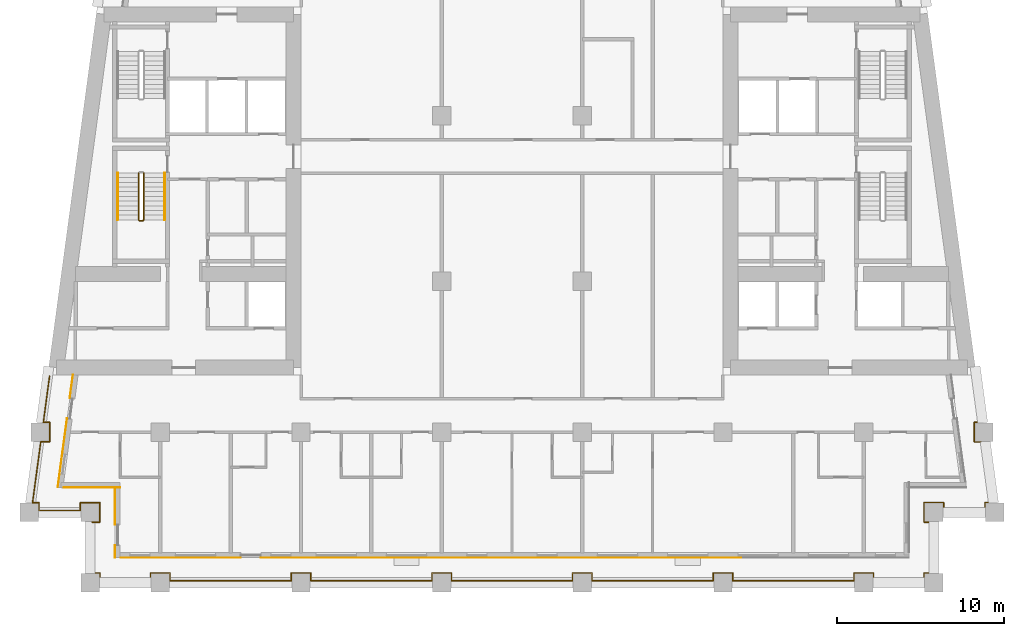
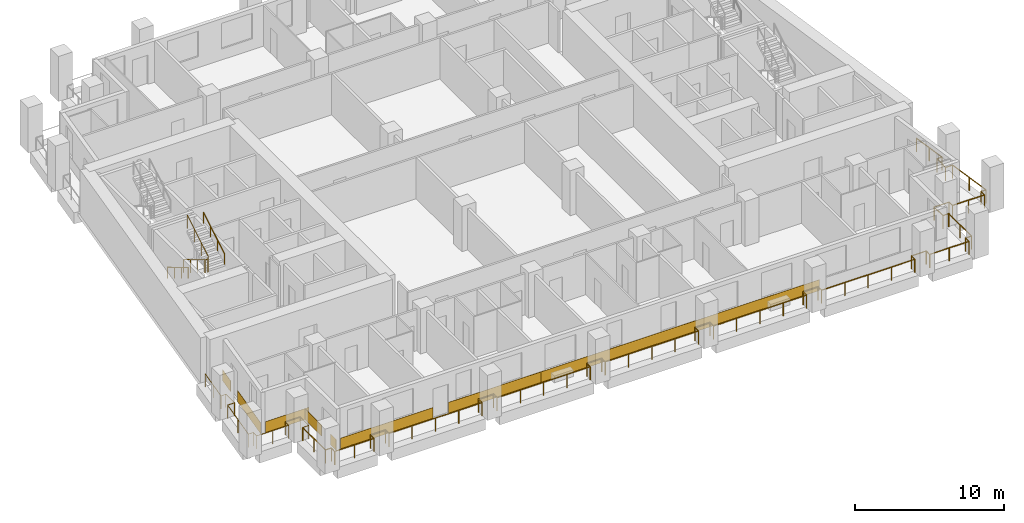
# One storey, part 9 of 13: 8 coverings, 5 railings.
"""IFC4 building model written with IfcOpenShell, lengths in metres."""

from ifc_helpers import new_model, si_unit, direction, frame, origin, origin_2d, place, context, subcontext, project, spatial, rectangle, circle, extrude, material, layer, layer_set, type_object, element, save


model = new_model("IFC4")

# Units and contexts
model_context = context("Model", 3, precision=1e-05, world=origin(), true_north=direction((0.0, 1.0)))
body_context = subcontext(model_context, "Body", "Model", "MODEL_VIEW")
ifc_project = project(units=[si_unit("LENGTHUNIT", "METRE"), si_unit("AREAUNIT", "SQUARE_METRE"), si_unit("VOLUMEUNIT", "CUBIC_METRE"), si_unit("PLANEANGLEUNIT", "RADIAN"), si_unit("MASSUNIT", "GRAM", prefix="KILO")], contexts=[model_context])

# Site, building, storey
site_placement = place(None, origin())
site = spatial("IfcSite", under=ifc_project, at=site_placement, CompositionType="ELEMENT")
building_placement = place(site_placement, origin())
building = spatial("IfcBuilding", under=site, at=building_placement, Name="Candeia Pilgrim Tower and Theatre", CompositionType="ELEMENT")
storey_placement = place(building_placement, frame((0.0, 0.0, 151.5)))
storey = spatial("IfcBuildingStorey", under=building, at=storey_placement, Name="L35", CompositionType="ELEMENT", Elevation=151.5)

# Railings
ifc_material_1 = material(Name="Stainless steel balustrade", Category="steel")
railing_type_1 = type_object("IfcRailingType", Name="G1 loggia guard 1100", PredefinedType="GUARDRAIL", material=ifc_material_1)
railing_1_placement = place(storey_placement, frame((88.320068359375, 101.6201171875, 0.0)))
element("IfcRailing", 1, at=railing_1_placement, inside=storey, type_object=railing_type_1, Name="Guard L35.1", PredefinedType="GUARDRAIL", context=body_context, shape_type="SweptSolid", body=[
    extrude(circle(Radius=0.02392578125, at=origin_2d()), frame((0.0, 0.0, 1.076171875), z_axis=(1.0, 0.0, 0.0), x_axis=(0.0, 1.0, 0.0)), (0.0, 0.0, 1.0), 0.4599609375),
    extrude(circle(Radius=0.02392578125, at=origin_2d()), frame((0.4599609375, 0.0, 1.076171875), z_axis=(0.0, 1.0, 0.0), x_axis=(-1.0, 0.0, 0.0)), (0.0, 0.0, 1.0), 1.159912109375),
    extrude(circle(Radius=0.02392578125, at=origin_2d()), frame((0.4599609375, 1.159912109375, 1.076171875), z_axis=(-1.0, 0.0, 0.0), x_axis=(0.0, -1.0, 0.0)), (0.0, 0.0, 1.0), 1.159912109375),
    extrude(circle(Radius=0.02392578125, at=origin_2d()), frame((-0.699951171875, 1.159912109375, 1.076171875), z_axis=(0.0, -1.0, 0.0), x_axis=(1.0, 0.0, 0.0)), (0.0, 0.0, 1.0), 0.4599609375),
    extrude(circle(Radius=0.02392578125, at=origin_2d()), frame((-0.699951171875, 0.699951171875, 1.076171875), z_axis=(-1.0, 0.0, 0.0), x_axis=(0.0, -1.0, 0.0)), (0.0, 0.0, 1.0), 2.474853515625),
    extrude(circle(Radius=0.02392578125, at=origin_2d()), frame((-3.1748046875, 0.699951171875, 1.076171875), z_axis=(0.0, 1.0, 0.0), x_axis=(-1.0, 0.0, 0.0)), (0.0, 0.0, 1.0), 0.4599609375),
    extrude(circle(Radius=0.02392578125, at=origin_2d()), frame((-3.1748046875, 1.159912109375, 1.076171875), z_axis=(-1.0, 0.0, 0.0), x_axis=(0.0, -1.0, 0.0)), (0.0, 0.0, 1.0), 0.380615234375),
    extrude(circle(Radius=0.02392578125, at=origin_2d()), frame((-3.555419921875, 1.159912109375, 1.076171875), z_axis=(0.133413267734, 0.9910604926, 0.0), x_axis=(-0.9910604926, 0.133413267734, 0.0)), (0.0, 0.0, 1.0), 3.672607421875),
    extrude(circle(Radius=0.02392578125, at=origin_2d()), frame((-3.0654296875, 4.7998046875, 1.076171875), z_axis=(1.0, 0.0, 0.0), x_axis=(0.0, 1.0, 0.0)), (0.0, 0.0, 1.0), 0.536865234375),
    extrude(circle(Radius=0.02392578125, at=origin_2d()), frame((-2.528564453125, 4.7998046875, 1.076171875), z_axis=(0.0, 1.0, 0.0), x_axis=(-1.0, 0.0, 0.0)), (0.0, 0.0, 1.0), 1.16015625),
    extrude(circle(Radius=0.02392578125, at=origin_2d()), frame((-2.528564453125, 5.9599609375, 1.076171875), z_axis=(-1.0, 0.0, 0.0), x_axis=(0.0, -1.0, 0.0)), (0.0, 0.0, 1.0), 0.380859375),
    extrude(circle(Radius=0.02392578125, at=origin_2d()), frame((-2.909423828125, 5.9599609375, 1.076171875), z_axis=(0.133468107709, 0.99105310868, 0.0), x_axis=(-0.99105310868, 0.133468107709, 0.0)), (0.0, 0.0, 1.0), 2.794921875),
    extrude(circle(Radius=0.02099609375, at=origin_2d()), origin(), (0.0, 0.0, 1.0), 1.052001953125),
    extrude(circle(Radius=0.02099609375, at=origin_2d()), frame((0.4599609375, 0.0, 0.0)), (0.0, 0.0, 1.0), 1.052001953125),
    extrude(circle(Radius=0.02099609375, at=origin_2d()), frame((0.4599609375, 1.159912109375, 0.0)), (0.0, 0.0, 1.0), 1.052001953125),
    extrude(circle(Radius=0.02099609375, at=origin_2d()), frame((-0.699951171875, 1.159912109375, 0.0)), (0.0, 0.0, 1.0), 1.052001953125),
    extrude(circle(Radius=0.02099609375, at=origin_2d()), frame((-0.699951171875, 0.699951171875, 0.0)), (0.0, 0.0, 1.0), 1.052001953125),
    extrude(circle(Radius=0.02099609375, at=origin_2d()), frame((-1.9375, 0.699951171875, 0.0)), (0.0, 0.0, 1.0), 1.052001953125),
    extrude(circle(Radius=0.02099609375, at=origin_2d()), frame((-3.1748046875, 0.699951171875, 0.0)), (0.0, 0.0, 1.0), 1.052001953125),
    extrude(circle(Radius=0.02099609375, at=origin_2d()), frame((-3.1748046875, 1.159912109375, 0.0)), (0.0, 0.0, 1.0), 1.052001953125),
    extrude(circle(Radius=0.02099609375, at=origin_2d()), frame((-3.555419921875, 1.159912109375, 0.0)), (0.0, 0.0, 1.0), 1.052001953125),
    extrude(circle(Radius=0.02099609375, at=origin_2d()), frame((-3.310546875, 2.97998046875, 0.0)), (0.0, 0.0, 1.0), 1.052001953125),
    extrude(circle(Radius=0.02099609375, at=origin_2d()), frame((-3.0654296875, 4.7998046875, 0.0)), (0.0, 0.0, 1.0), 1.052001953125),
    extrude(circle(Radius=0.02099609375, at=origin_2d()), frame((-2.528564453125, 4.7998046875, 0.0)), (0.0, 0.0, 1.0), 1.052001953125),
    extrude(circle(Radius=0.02099609375, at=origin_2d()), frame((-2.528564453125, 5.9599609375, 0.0)), (0.0, 0.0, 1.0), 1.052001953125),
    extrude(circle(Radius=0.02099609375, at=origin_2d()), frame((-2.909423828125, 5.9599609375, 0.0)), (0.0, 0.0, 1.0), 1.052001953125),
    extrude(circle(Radius=0.02099609375, at=origin_2d()), frame((-2.722900390625, 7.344970703125, 0.0)), (0.0, 0.0, 1.0), 1.052001953125),
    extrude(circle(Radius=0.02099609375, at=origin_2d()), frame((-2.536376953125, 8.72998046875, 0.0)), (0.0, 0.0, 1.0), 1.052001953125),
])
railing_2_placement = place(storey_placement, frame((141.016357421875, 110.35009765625, 0.0)))
element("IfcRailing", 2, at=railing_2_placement, inside=storey, type_object=railing_type_1, Name="Guard L35.4", PredefinedType="GUARDRAIL", context=body_context, shape_type="SweptSolid", body=[
    extrude(circle(Radius=0.02392578125, at=origin_2d()), frame((0.0, 0.0, 1.076171875), z_axis=(0.133468107709, -0.99105310868, 0.0), x_axis=(0.99105310868, 0.133468107709, 0.0)), (0.0, 0.0, 1.0), 2.794921875),
    extrude(circle(Radius=0.02392578125, at=origin_2d()), frame((0.373046875, -2.77001953125, 1.076171875), z_axis=(-1.0, 0.0, 0.0), x_axis=(0.0, -1.0, 0.0)), (0.0, 0.0, 1.0), 0.380859375),
    extrude(circle(Radius=0.02392578125, at=origin_2d()), frame((-0.0078125, -2.77001953125, 1.076171875), z_axis=(0.0, -1.0, 0.0), x_axis=(1.0, 0.0, 0.0)), (0.0, 0.0, 1.0), 1.16015625),
    extrude(circle(Radius=0.02392578125, at=origin_2d()), frame((-0.0078125, -3.93017578125, 1.076171875), z_axis=(1.0, 0.0, 0.0), x_axis=(0.0, 1.0, 0.0)), (0.0, 0.0, 1.0), 0.536865234375),
    extrude(circle(Radius=0.02392578125, at=origin_2d()), frame((0.529052734375, -3.93017578125, 1.076171875), z_axis=(0.133413267734, -0.9910604926, 0.0), x_axis=(0.9910604926, 0.133413267734, 0.0)), (0.0, 0.0, 1.0), 3.672607421875),
    extrude(circle(Radius=0.02392578125, at=origin_2d()), frame((1.01904296875, -7.570068359375, 1.076171875), z_axis=(-1.0, 0.0, 0.0), x_axis=(0.0, -1.0, 0.0)), (0.0, 0.0, 1.0), 0.380859375),
    extrude(circle(Radius=0.02392578125, at=origin_2d()), frame((0.63818359375, -7.570068359375, 1.076171875), z_axis=(0.0, -1.0, 0.0), x_axis=(1.0, 0.0, 0.0)), (0.0, 0.0, 1.0), 0.4599609375),
    extrude(circle(Radius=0.02392578125, at=origin_2d()), frame((0.63818359375, -8.030029296875, 1.076171875), z_axis=(-1.0, 0.0, 0.0), x_axis=(0.0, -1.0, 0.0)), (0.0, 0.0, 1.0), 2.474609375),
    extrude(circle(Radius=0.02392578125, at=origin_2d()), frame((-1.83642578125, -8.030029296875, 1.076171875), z_axis=(0.0, 1.0, 0.0), x_axis=(-1.0, 0.0, 0.0)), (0.0, 0.0, 1.0), 0.4599609375),
    extrude(circle(Radius=0.02392578125, at=origin_2d()), frame((-1.83642578125, -7.570068359375, 1.076171875), z_axis=(-1.0, 0.0, 0.0), x_axis=(0.0, -1.0, 0.0)), (0.0, 0.0, 1.0), 1.159912109375),
    extrude(circle(Radius=0.02392578125, at=origin_2d()), frame((-2.996337890625, -7.570068359375, 1.076171875), z_axis=(0.0, -1.0, 0.0), x_axis=(1.0, 0.0, 0.0)), (0.0, 0.0, 1.0), 1.159912109375),
    extrude(circle(Radius=0.02392578125, at=origin_2d()), frame((-2.996337890625, -8.72998046875, 1.076171875), z_axis=(1.0, 0.0, 0.0), x_axis=(0.0, 1.0, 0.0)), (0.0, 0.0, 1.0), 0.4599609375),
    extrude(circle(Radius=0.02392578125, at=origin_2d()), frame((-2.536376953125, -8.72998046875, 1.076171875), z_axis=(0.0, -1.0, 0.0), x_axis=(1.0, 0.0, 0.0)), (0.0, 0.0, 1.0), 3.0400390625),
    extrude(circle(Radius=0.02392578125, at=origin_2d()), frame((-2.536376953125, -11.77001953125, 1.076171875), z_axis=(-1.0, 0.0, 0.0), x_axis=(0.0, -1.0, 0.0)), (0.0, 0.0, 1.0), 0.4599609375),
    extrude(circle(Radius=0.02392578125, at=origin_2d()), frame((-2.996337890625, -11.77001953125, 1.076171875), z_axis=(0.0, -1.0, 0.0), x_axis=(1.0, 0.0, 0.0)), (0.0, 0.0, 1.0), 0.4599609375),
    extrude(circle(Radius=0.02392578125, at=origin_2d()), frame((-2.996337890625, -12.22998046875, 1.076171875), z_axis=(-1.0, 0.0, 0.0), x_axis=(0.0, -1.0, 0.0)), (0.0, 0.0, 1.0), 3.0400390625),
    extrude(circle(Radius=0.02392578125, at=origin_2d()), frame((-6.036376953125, -12.22998046875, 1.076171875), z_axis=(0.0, 1.0, 0.0), x_axis=(-1.0, 0.0, 0.0)), (0.0, 0.0, 1.0), 0.4599609375),
    extrude(circle(Radius=0.02392578125, at=origin_2d()), frame((-6.036376953125, -11.77001953125, 1.076171875), z_axis=(-1.0, 0.0, 0.0), x_axis=(0.0, -1.0, 0.0)), (0.0, 0.0, 1.0), 1.159912109375),
    extrude(circle(Radius=0.02392578125, at=origin_2d()), frame((-7.1962890625, -11.77001953125, 1.076171875), z_axis=(0.0, -1.0, 0.0), x_axis=(1.0, 0.0, 0.0)), (0.0, 0.0, 1.0), 0.4599609375),
    extrude(circle(Radius=0.02392578125, at=origin_2d()), frame((-7.1962890625, -12.22998046875, 1.076171875), z_axis=(-1.0, 0.0, 0.0), x_axis=(0.0, -1.0, 0.0)), (0.0, 0.0, 1.0), 7.239990234375),
    extrude(circle(Radius=0.02392578125, at=origin_2d()), frame((-14.436279296875, -12.22998046875, 1.076171875), z_axis=(0.0, 1.0, 0.0), x_axis=(-1.0, 0.0, 0.0)), (0.0, 0.0, 1.0), 0.4599609375),
    extrude(circle(Radius=0.02392578125, at=origin_2d()), frame((-14.436279296875, -11.77001953125, 1.076171875), z_axis=(-1.0, 0.0, 0.0), x_axis=(0.0, -1.0, 0.0)), (0.0, 0.0, 1.0), 1.16015625),
    extrude(circle(Radius=0.02392578125, at=origin_2d()), frame((-15.596435546875, -11.77001953125, 1.076171875), z_axis=(0.0, -1.0, 0.0), x_axis=(1.0, 0.0, 0.0)), (0.0, 0.0, 1.0), 0.4599609375),
    extrude(circle(Radius=0.02392578125, at=origin_2d()), frame((-15.596435546875, -12.22998046875, 1.076171875), z_axis=(-1.0, 0.0, 0.0), x_axis=(0.0, -1.0, 0.0)), (0.0, 0.0, 1.0), 7.239990234375),
    extrude(circle(Radius=0.02392578125, at=origin_2d()), frame((-22.83642578125, -12.22998046875, 1.076171875), z_axis=(0.0, 1.0, 0.0), x_axis=(-1.0, 0.0, 0.0)), (0.0, 0.0, 1.0), 0.4599609375),
    extrude(circle(Radius=0.02392578125, at=origin_2d()), frame((-22.83642578125, -11.77001953125, 1.076171875), z_axis=(-1.0, 0.0, 0.0), x_axis=(0.0, -1.0, 0.0)), (0.0, 0.0, 1.0), 1.159912109375),
    extrude(circle(Radius=0.02392578125, at=origin_2d()), frame((-23.996337890625, -11.77001953125, 1.076171875), z_axis=(0.0, -1.0, 0.0), x_axis=(1.0, 0.0, 0.0)), (0.0, 0.0, 1.0), 0.4599609375),
    extrude(circle(Radius=0.02392578125, at=origin_2d()), frame((-23.996337890625, -12.22998046875, 1.076171875), z_axis=(-1.0, 0.0, 0.0), x_axis=(0.0, -1.0, 0.0)), (0.0, 0.0, 1.0), 7.239990234375),
    extrude(circle(Radius=0.02392578125, at=origin_2d()), frame((-31.236328125, -12.22998046875, 1.076171875), z_axis=(0.0, 1.0, 0.0), x_axis=(-1.0, 0.0, 0.0)), (0.0, 0.0, 1.0), 0.4599609375),
    extrude(circle(Radius=0.02392578125, at=origin_2d()), frame((-31.236328125, -11.77001953125, 1.076171875), z_axis=(-1.0, 0.0, 0.0), x_axis=(0.0, -1.0, 0.0)), (0.0, 0.0, 1.0), 1.159912109375),
    extrude(circle(Radius=0.02392578125, at=origin_2d()), frame((-32.396240234375, -11.77001953125, 1.076171875), z_axis=(0.0, -1.0, 0.0), x_axis=(1.0, 0.0, 0.0)), (0.0, 0.0, 1.0), 0.4599609375),
    extrude(circle(Radius=0.02392578125, at=origin_2d()), frame((-32.396240234375, -12.22998046875, 1.076171875), z_axis=(-1.0, 0.0, 0.0), x_axis=(0.0, -1.0, 0.0)), (0.0, 0.0, 1.0), 7.240234375),
    extrude(circle(Radius=0.02392578125, at=origin_2d()), frame((-39.636474609375, -12.22998046875, 1.076171875), z_axis=(0.0, 1.0, 0.0), x_axis=(-1.0, 0.0, 0.0)), (0.0, 0.0, 1.0), 0.4599609375),
    extrude(circle(Radius=0.02392578125, at=origin_2d()), frame((-39.636474609375, -11.77001953125, 1.076171875), z_axis=(-1.0, 0.0, 0.0), x_axis=(0.0, -1.0, 0.0)), (0.0, 0.0, 1.0), 1.159912109375),
    extrude(circle(Radius=0.02392578125, at=origin_2d()), frame((-40.79638671875, -11.77001953125, 1.076171875), z_axis=(0.0, -1.0, 0.0), x_axis=(1.0, 0.0, 0.0)), (0.0, 0.0, 1.0), 0.4599609375),
    extrude(circle(Radius=0.02392578125, at=origin_2d()), frame((-40.79638671875, -12.22998046875, 1.076171875), z_axis=(-1.0, 0.0, 0.0), x_axis=(0.0, -1.0, 0.0)), (0.0, 0.0, 1.0), 7.239990234375),
    extrude(circle(Radius=0.02392578125, at=origin_2d()), frame((-48.036376953125, -12.22998046875, 1.076171875), z_axis=(0.0, 1.0, 0.0), x_axis=(-1.0, 0.0, 0.0)), (0.0, 0.0, 1.0), 0.4599609375),
    extrude(circle(Radius=0.02392578125, at=origin_2d()), frame((-48.036376953125, -11.77001953125, 1.076171875), z_axis=(-1.0, 0.0, 0.0), x_axis=(0.0, -1.0, 0.0)), (0.0, 0.0, 1.0), 1.159912109375),
    extrude(circle(Radius=0.02392578125, at=origin_2d()), frame((-49.1962890625, -11.77001953125, 1.076171875), z_axis=(0.0, -1.0, 0.0), x_axis=(1.0, 0.0, 0.0)), (0.0, 0.0, 1.0), 0.4599609375),
    extrude(circle(Radius=0.02392578125, at=origin_2d()), frame((-49.1962890625, -12.22998046875, 1.076171875), z_axis=(-1.0, 0.0, 0.0), x_axis=(0.0, -1.0, 0.0)), (0.0, 0.0, 1.0), 3.0400390625),
    extrude(circle(Radius=0.02392578125, at=origin_2d()), frame((-52.236328125, -12.22998046875, 1.076171875), z_axis=(0.0, 1.0, 0.0), x_axis=(-1.0, 0.0, 0.0)), (0.0, 0.0, 1.0), 0.4599609375),
    extrude(circle(Radius=0.02392578125, at=origin_2d()), frame((-52.236328125, -11.77001953125, 1.076171875), z_axis=(-1.0, 0.0, 0.0), x_axis=(0.0, -1.0, 0.0)), (0.0, 0.0, 1.0), 0.4599609375),
    extrude(circle(Radius=0.02392578125, at=origin_2d()), frame((-52.6962890625, -11.77001953125, 1.076171875), z_axis=(0.0, 1.0, 0.0), x_axis=(-1.0, 0.0, 0.0)), (0.0, 0.0, 1.0), 3.0400390625),
    extrude(circle(Radius=0.02099609375, at=origin_2d()), origin(), (0.0, 0.0, 1.0), 1.052001953125),
    extrude(circle(Radius=0.02099609375, at=origin_2d()), frame((0.1865234375, -1.385009765625, 0.0)), (0.0, 0.0, 1.0), 1.052001953125),
    extrude(circle(Radius=0.02099609375, at=origin_2d()), frame((0.373046875, -2.77001953125, 0.0)), (0.0, 0.0, 1.0), 1.052001953125),
    extrude(circle(Radius=0.02099609375, at=origin_2d()), frame((-0.0078125, -2.77001953125, 0.0)), (0.0, 0.0, 1.0), 1.052001953125),
    extrude(circle(Radius=0.02099609375, at=origin_2d()), frame((-0.0078125, -3.93017578125, 0.0)), (0.0, 0.0, 1.0), 1.052001953125),
    extrude(circle(Radius=0.02099609375, at=origin_2d()), frame((0.529052734375, -3.93017578125, 0.0)), (0.0, 0.0, 1.0), 1.052001953125),
    extrude(circle(Radius=0.02099609375, at=origin_2d()), frame((0.77392578125, -5.75, 0.0)), (0.0, 0.0, 1.0), 1.052001953125),
    extrude(circle(Radius=0.02099609375, at=origin_2d()), frame((1.01904296875, -7.570068359375, 0.0)), (0.0, 0.0, 1.0), 1.052001953125),
    extrude(circle(Radius=0.02099609375, at=origin_2d()), frame((0.63818359375, -7.570068359375, 0.0)), (0.0, 0.0, 1.0), 1.052001953125),
    extrude(circle(Radius=0.02099609375, at=origin_2d()), frame((0.63818359375, -8.030029296875, 0.0)), (0.0, 0.0, 1.0), 1.052001953125),
    extrude(circle(Radius=0.02099609375, at=origin_2d()), frame((-0.59912109375, -8.030029296875, 0.0)), (0.0, 0.0, 1.0), 1.052001953125),
    extrude(circle(Radius=0.02099609375, at=origin_2d()), frame((-1.83642578125, -8.030029296875, 0.0)), (0.0, 0.0, 1.0), 1.052001953125),
    extrude(circle(Radius=0.02099609375, at=origin_2d()), frame((-1.83642578125, -7.570068359375, 0.0)), (0.0, 0.0, 1.0), 1.052001953125),
    extrude(circle(Radius=0.02099609375, at=origin_2d()), frame((-2.996337890625, -7.570068359375, 0.0)), (0.0, 0.0, 1.0), 1.052001953125),
    extrude(circle(Radius=0.02099609375, at=origin_2d()), frame((-2.996337890625, -8.72998046875, 0.0)), (0.0, 0.0, 1.0), 1.052001953125),
    extrude(circle(Radius=0.02099609375, at=origin_2d()), frame((-2.536376953125, -8.72998046875, 0.0)), (0.0, 0.0, 1.0), 1.052001953125),
    extrude(circle(Radius=0.02099609375, at=origin_2d()), frame((-2.536376953125, -10.25, 0.0)), (0.0, 0.0, 1.0), 1.052001953125),
    extrude(circle(Radius=0.02099609375, at=origin_2d()), frame((-2.536376953125, -11.77001953125, 0.0)), (0.0, 0.0, 1.0), 1.052001953125),
    extrude(circle(Radius=0.02099609375, at=origin_2d()), frame((-2.996337890625, -11.77001953125, 0.0)), (0.0, 0.0, 1.0), 1.052001953125),
    extrude(circle(Radius=0.02099609375, at=origin_2d()), frame((-2.996337890625, -12.22998046875, 0.0)), (0.0, 0.0, 1.0), 1.052001953125),
    extrude(circle(Radius=0.02099609375, at=origin_2d()), frame((-4.516357421875, -12.22998046875, 0.0)), (0.0, 0.0, 1.0), 1.052001953125),
    extrude(circle(Radius=0.02099609375, at=origin_2d()), frame((-6.036376953125, -12.22998046875, 0.0)), (0.0, 0.0, 1.0), 1.052001953125),
    extrude(circle(Radius=0.02099609375, at=origin_2d()), frame((-6.036376953125, -11.77001953125, 0.0)), (0.0, 0.0, 1.0), 1.052001953125),
    extrude(circle(Radius=0.02099609375, at=origin_2d()), frame((-7.1962890625, -11.77001953125, 0.0)), (0.0, 0.0, 1.0), 1.052001953125),
    extrude(circle(Radius=0.02099609375, at=origin_2d()), frame((-7.1962890625, -12.22998046875, 0.0)), (0.0, 0.0, 1.0), 1.052001953125),
    extrude(circle(Radius=0.02099609375, at=origin_2d()), frame((-9.00634765625, -12.22998046875, 0.0)), (0.0, 0.0, 1.0), 1.052001953125),
    extrude(circle(Radius=0.02099609375, at=origin_2d()), frame((-10.81640625, -12.22998046875, 0.0)), (0.0, 0.0, 1.0), 1.052001953125),
    extrude(circle(Radius=0.02099609375, at=origin_2d()), frame((-12.626220703125, -12.22998046875, 0.0)), (0.0, 0.0, 1.0), 1.052001953125),
    extrude(circle(Radius=0.02099609375, at=origin_2d()), frame((-14.436279296875, -12.22998046875, 0.0)), (0.0, 0.0, 1.0), 1.052001953125),
    extrude(circle(Radius=0.02099609375, at=origin_2d()), frame((-14.436279296875, -11.77001953125, 0.0)), (0.0, 0.0, 1.0), 1.052001953125),
    extrude(circle(Radius=0.02099609375, at=origin_2d()), frame((-15.596435546875, -11.77001953125, 0.0)), (0.0, 0.0, 1.0), 1.052001953125),
    extrude(circle(Radius=0.02099609375, at=origin_2d()), frame((-15.596435546875, -12.22998046875, 0.0)), (0.0, 0.0, 1.0), 1.052001953125),
    extrude(circle(Radius=0.02099609375, at=origin_2d()), frame((-17.406494140625, -12.22998046875, 0.0)), (0.0, 0.0, 1.0), 1.052001953125),
    extrude(circle(Radius=0.02099609375, at=origin_2d()), frame((-19.21630859375, -12.22998046875, 0.0)), (0.0, 0.0, 1.0), 1.052001953125),
    extrude(circle(Radius=0.02099609375, at=origin_2d()), frame((-21.0263671875, -12.22998046875, 0.0)), (0.0, 0.0, 1.0), 1.052001953125),
    extrude(circle(Radius=0.02099609375, at=origin_2d()), frame((-22.83642578125, -12.22998046875, 0.0)), (0.0, 0.0, 1.0), 1.052001953125),
    extrude(circle(Radius=0.02099609375, at=origin_2d()), frame((-22.83642578125, -11.77001953125, 0.0)), (0.0, 0.0, 1.0), 1.052001953125),
    extrude(circle(Radius=0.02099609375, at=origin_2d()), frame((-23.996337890625, -11.77001953125, 0.0)), (0.0, 0.0, 1.0), 1.052001953125),
    extrude(circle(Radius=0.02099609375, at=origin_2d()), frame((-23.996337890625, -12.22998046875, 0.0)), (0.0, 0.0, 1.0), 1.052001953125),
    extrude(circle(Radius=0.02099609375, at=origin_2d()), frame((-25.806396484375, -12.22998046875, 0.0)), (0.0, 0.0, 1.0), 1.052001953125),
    extrude(circle(Radius=0.02099609375, at=origin_2d()), frame((-27.6162109375, -12.22998046875, 0.0)), (0.0, 0.0, 1.0), 1.052001953125),
    extrude(circle(Radius=0.02099609375, at=origin_2d()), frame((-29.42626953125, -12.22998046875, 0.0)), (0.0, 0.0, 1.0), 1.052001953125),
    extrude(circle(Radius=0.02099609375, at=origin_2d()), frame((-31.236328125, -12.22998046875, 0.0)), (0.0, 0.0, 1.0), 1.052001953125),
    extrude(circle(Radius=0.02099609375, at=origin_2d()), frame((-31.236328125, -11.77001953125, 0.0)), (0.0, 0.0, 1.0), 1.052001953125),
    extrude(circle(Radius=0.02099609375, at=origin_2d()), frame((-32.396240234375, -11.77001953125, 0.0)), (0.0, 0.0, 1.0), 1.052001953125),
    extrude(circle(Radius=0.02099609375, at=origin_2d()), frame((-32.396240234375, -12.22998046875, 0.0)), (0.0, 0.0, 1.0), 1.052001953125),
    extrude(circle(Radius=0.02099609375, at=origin_2d()), frame((-34.206298828125, -12.22998046875, 0.0)), (0.0, 0.0, 1.0), 1.052001953125),
    extrude(circle(Radius=0.02099609375, at=origin_2d()), frame((-36.016357421875, -12.22998046875, 0.0)), (0.0, 0.0, 1.0), 1.052001953125),
    extrude(circle(Radius=0.02099609375, at=origin_2d()), frame((-37.826416015625, -12.22998046875, 0.0)), (0.0, 0.0, 1.0), 1.052001953125),
    extrude(circle(Radius=0.02099609375, at=origin_2d()), frame((-39.636474609375, -12.22998046875, 0.0)), (0.0, 0.0, 1.0), 1.052001953125),
    extrude(circle(Radius=0.02099609375, at=origin_2d()), frame((-39.636474609375, -11.77001953125, 0.0)), (0.0, 0.0, 1.0), 1.052001953125),
    extrude(circle(Radius=0.02099609375, at=origin_2d()), frame((-40.79638671875, -11.77001953125, 0.0)), (0.0, 0.0, 1.0), 1.052001953125),
    extrude(circle(Radius=0.02099609375, at=origin_2d()), frame((-40.79638671875, -12.22998046875, 0.0)), (0.0, 0.0, 1.0), 1.052001953125),
    extrude(circle(Radius=0.02099609375, at=origin_2d()), frame((-42.6064453125, -12.22998046875, 0.0)), (0.0, 0.0, 1.0), 1.052001953125),
    extrude(circle(Radius=0.02099609375, at=origin_2d()), frame((-44.41650390625, -12.22998046875, 0.0)), (0.0, 0.0, 1.0), 1.052001953125),
    extrude(circle(Radius=0.02099609375, at=origin_2d()), frame((-46.226318359375, -12.22998046875, 0.0)), (0.0, 0.0, 1.0), 1.052001953125),
    extrude(circle(Radius=0.02099609375, at=origin_2d()), frame((-48.036376953125, -12.22998046875, 0.0)), (0.0, 0.0, 1.0), 1.052001953125),
    extrude(circle(Radius=0.02099609375, at=origin_2d()), frame((-48.036376953125, -11.77001953125, 0.0)), (0.0, 0.0, 1.0), 1.052001953125),
    extrude(circle(Radius=0.02099609375, at=origin_2d()), frame((-49.1962890625, -11.77001953125, 0.0)), (0.0, 0.0, 1.0), 1.052001953125),
    extrude(circle(Radius=0.02099609375, at=origin_2d()), frame((-49.1962890625, -12.22998046875, 0.0)), (0.0, 0.0, 1.0), 1.052001953125),
    extrude(circle(Radius=0.02099609375, at=origin_2d()), frame((-50.71630859375, -12.22998046875, 0.0)), (0.0, 0.0, 1.0), 1.052001953125),
    extrude(circle(Radius=0.02099609375, at=origin_2d()), frame((-52.236328125, -12.22998046875, 0.0)), (0.0, 0.0, 1.0), 1.052001953125),
    extrude(circle(Radius=0.02099609375, at=origin_2d()), frame((-52.236328125, -11.77001953125, 0.0)), (0.0, 0.0, 1.0), 1.052001953125),
    extrude(circle(Radius=0.02099609375, at=origin_2d()), frame((-52.6962890625, -11.77001953125, 0.0)), (0.0, 0.0, 1.0), 1.052001953125),
    extrude(circle(Radius=0.02099609375, at=origin_2d()), frame((-52.6962890625, -10.25, 0.0)), (0.0, 0.0, 1.0), 1.052001953125),
    extrude(circle(Radius=0.02099609375, at=origin_2d()), frame((-52.6962890625, -8.72998046875, 0.0)), (0.0, 0.0, 1.0), 1.052001953125),
])

# Coverings
ifc_material_2 = material(Name="Glazed ceramic tile red")
ifc_layer_1 = layer(ifc_material_2, 0.02001953125)
ifc_layer_set_1 = layer_set([ifc_layer_1], Name="Glazed ceramic tile red")
covering_type_1 = type_object("IfcCoveringType", Name="Glazed ceramic tile red", PredefinedType="CLADDING", material=ifc_layer_set_1)
covering_1_placement = place(storey_placement, frame((116.39990234375, 99.489990234375, 0.0), z_axis=(0.0, 0.0, 1.0), x_axis=(1.0, 0.0, 0.0)))
element("IfcCovering", 3, at=covering_1_placement, inside=storey, type_object=covering_type_1, Name="Tile cladding red L35", PredefinedType="CLADDING", context=body_context, shape_type="SweptSolid", body=[
    extrude(rectangle(XDim=21.60009765625, YDim=0.02001953125, at=origin_2d()), origin(), (0.0, 0.0, 1.0), 0.89990234375),
])
ifc_material_3 = material(Name="Glazed ceramic tile rust")
ifc_layer_2 = layer(ifc_material_3, 0.02001953125)
ifc_layer_set_2 = layer_set([ifc_layer_2], Name="Glazed ceramic tile rust")
covering_type_2 = type_object("IfcCoveringType", Name="Glazed ceramic tile rust", PredefinedType="CLADDING", material=ifc_layer_set_2)
covering_2_placement = place(storey_placement, frame((93.610107421875, 99.489990234375, 0.0), z_axis=(0.0, 0.0, 1.0), x_axis=(1.0, 0.0, 0.0)))
element("IfcCovering", 4, at=covering_2_placement, inside=storey, type_object=covering_type_2, Name="Tile cladding rust L35", PredefinedType="CLADDING", context=body_context, shape_type="SweptSolid", body=[
    extrude(rectangle(XDim=7.179931640625, YDim=0.02001953125, at=origin_2d()), origin(), (0.0, 0.0, 1.0), 0.89990234375),
])
covering_3_placement = place(storey_placement, frame((102.0, 99.489990234375, 0.0), z_axis=(0.0, 0.0, 1.0), x_axis=(1.0, 0.0, 0.0)))
element("IfcCovering", 5, at=covering_3_placement, inside=storey, type_object=covering_type_2, Name="Tile cladding rust L35", PredefinedType="CLADDING", context=body_context, shape_type="SweptSolid", body=[
    extrude(rectangle(XDim=7.199951171875, YDim=0.02001953125, at=origin_2d()), origin(), (0.0, 0.0, 1.0), 0.89990234375),
])
covering_4_placement = place(storey_placement, frame((87.0810546875, 109.71875, 0.0), z_axis=(0.0, 0.0, 1.0), x_axis=(-0.133412012145, -0.991060661622, 0.0)))
element("IfcCovering", 6, at=covering_4_placement, inside=storey, type_object=covering_type_2, Name="Tile cladding rust L35", PredefinedType="CLADDING", context=body_context, shape_type="SweptSolid", body=[
    extrude(rectangle(XDim=1.41796875, YDim=0.02001953125, at=origin_2d()), origin(), (0.0, 0.0, 1.0), 0.89990234375),
])
covering_5_placement = place(storey_placement, frame((86.548583984375, 105.763916015625, 0.0), z_axis=(0.0, 0.0, 1.0), x_axis=(-0.133412012145, -0.991060661622, 0.0)))
element("IfcCovering", 7, at=covering_5_placement, inside=storey, type_object=covering_type_2, Name="Tile cladding rust L35", PredefinedType="CLADDING", context=body_context, shape_type="SweptSolid", body=[
    extrude(rectangle(XDim=4.16259765625, YDim=0.02001953125, at=origin_2d()), origin(), (0.0, 0.0, 1.0), 0.89990234375),
])
covering_6_placement = place(storey_placement, frame((88.311279296875, 103.68994140625, 0.0), z_axis=(0.0, 0.0, 1.0), x_axis=(1.0, 0.0, 0.0)))
element("IfcCovering", 8, at=covering_6_placement, inside=storey, type_object=covering_type_2, Name="Tile cladding rust L35", PredefinedType="CLADDING", context=body_context, shape_type="SweptSolid", body=[
    extrude(rectangle(XDim=3.377685546875, YDim=0.02001953125, at=origin_2d()), origin(), (0.0, 0.0, 1.0), 0.89990234375),
])
covering_7_placement = place(storey_placement, frame((89.68994140625, 102.56494140625, 0.0), z_axis=(0.0, 0.0, 1.0), x_axis=(0.0, -1.0, 0.0)))
element("IfcCovering", 9, at=covering_7_placement, inside=storey, type_object=covering_type_2, Name="Tile cladding rust L35", PredefinedType="CLADDING", context=body_context, shape_type="SweptSolid", body=[
    extrude(rectangle(XDim=2.22998046875, YDim=0.02001953125, at=origin_2d()), origin(), (0.0, 0.0, 1.0), 0.89990234375),
])
covering_8_placement = place(storey_placement, frame((89.68994140625, 99.875, 0.0), z_axis=(0.0, 0.0, 1.0), x_axis=(0.0, -1.0, 0.0)))
element("IfcCovering", 10, at=covering_8_placement, inside=storey, type_object=covering_type_2, Name="Tile cladding rust L35", PredefinedType="CLADDING", context=body_context, shape_type="SweptSolid", body=[
    extrude(rectangle(XDim=0.75, YDim=0.02001953125, at=origin_2d()), origin(), (0.0, 0.0, 1.0), 0.89990234375),
])

# Railings
railing_type_2 = type_object("IfcRailingType", Name="RL-GUARD-1100", PredefinedType="GUARDRAIL", material=ifc_material_1)
railing_3_placement = place(storey_placement, frame((91.10205078125, 122.47509765625, 0.168212890625)))
element("IfcRailing", 11, at=railing_3_placement, inside=storey, type_object=railing_type_2, Name="L35 ST1 stair guard 1", PredefinedType="GUARDRAIL", context=body_context, shape_type="SweptSolid", body=[
    extrude(circle(Radius=0.02392578125, at=origin_2d()), frame((0.0, 0.0, 1.076171875), z_axis=(0.0, -0.857242210791, 0.514913383045), x_axis=(1.0, 0.0, 0.0)), (0.0, 0.0, 1.0), 3.266357421875),
    extrude(circle(Radius=0.02392578125, at=origin_2d()), frame((0.0, -2.800048828125, 2.7578125), z_axis=(0.707106781187, -0.707106781187, 0.0), x_axis=(0.707106781187, 0.707106781187, 0.0)), (0.0, 0.0, 1.0), 0.07080078125),
    extrude(circle(Radius=0.02392578125, at=origin_2d()), frame((0.050048828125, -2.85009765625, 2.7578125), z_axis=(1.0, 0.0, 0.0), x_axis=(0.0, 1.0, 0.0)), (0.0, 0.0, 1.0), 0.199951171875),
    extrude(circle(Radius=0.02392578125, at=origin_2d()), frame((0.25, -2.85009765625, 2.7578125), z_axis=(0.274582412415, 0.274582412415, 0.921525364591), x_axis=(-0.707106781187, 0.707106781187, 0.0)), (0.0, 0.0, 1.0), 0.182373046875),
    extrude(circle(Radius=0.02392578125, at=origin_2d()), frame((0.300048828125, -2.800048828125, 2.92578125), z_axis=(0.0, 0.857242210791, 0.514913383045), x_axis=(-1.0, 0.0, 0.0)), (0.0, 0.0, 1.0), 3.266357421875),
    extrude(circle(Radius=0.02099609375, at=origin_2d()), origin(), (0.0, 0.0, 1.0), 1.052001953125),
    extrude(circle(Radius=0.02099609375, at=origin_2d()), frame((0.0, -0.933349609375, 0.560546875)), (0.0, 0.0, 1.0), 1.052001953125),
    extrude(circle(Radius=0.02099609375, at=origin_2d()), frame((0.0, -1.86669921875, 1.121337890625)), (0.0, 0.0, 1.0), 1.052001953125),
    extrude(circle(Radius=0.02099609375, at=origin_2d()), frame((0.0, -2.800048828125, 1.681884765625)), (0.0, 0.0, 1.0), 1.052001953125),
    extrude(circle(Radius=0.02099609375, at=origin_2d()), frame((0.050048828125, -2.85009765625, 1.681884765625)), (0.0, 0.0, 1.0), 1.052001953125),
    extrude(circle(Radius=0.02099609375, at=origin_2d()), frame((0.25, -2.85009765625, 1.681884765625)), (0.0, 0.0, 1.0), 1.052001953125),
    extrude(circle(Radius=0.02099609375, at=origin_2d()), frame((0.300048828125, -2.800048828125, 1.849853515625)), (0.0, 0.0, 1.0), 1.052001953125),
    extrude(circle(Radius=0.02099609375, at=origin_2d()), frame((0.300048828125, -1.86669921875, 2.410400390625)), (0.0, 0.0, 1.0), 1.052001953125),
    extrude(circle(Radius=0.02099609375, at=origin_2d()), frame((0.300048828125, -0.933349609375, 2.97119140625)), (0.0, 0.0, 1.0), 1.052001953125),
    extrude(circle(Radius=0.02099609375, at=origin_2d()), frame((0.300048828125, 0.0, 3.53173828125)), (0.0, 0.0, 1.0), 1.052001953125),
])
ifc_material_4 = material(Name="Stainless steel handrail", Category="steel")
railing_type_3 = type_object("IfcRailingType", Name="RL-HANDRAIL-900", PredefinedType="HANDRAIL", material=ifc_material_4)
railing_4_placement = place(storey_placement, frame((89.85205078125, 122.47509765625, 0.168212890625)))
element("IfcRailing", 12, at=railing_4_placement, inside=storey, type_object=railing_type_3, Name="L35 ST1 stair handrail 1", PredefinedType="HANDRAIL", context=body_context, shape_type="SweptSolid", body=[
    extrude(circle(Radius=0.02392578125, at=origin_2d()), frame((0.0, 0.0, 0.8759765625), z_axis=(0.0, -0.857242210791, 0.514913383045), x_axis=(1.0, 0.0, 0.0)), (0.0, 0.0, 1.0), 3.266357421875),
    extrude(circle(Radius=0.02099609375, at=origin_2d()), origin(), (0.0, 0.0, 1.0), 0.851806640625),
    extrude(circle(Radius=0.02099609375, at=origin_2d()), frame((0.0, -0.933349609375, 0.560546875)), (0.0, 0.0, 1.0), 0.851806640625),
    extrude(circle(Radius=0.02099609375, at=origin_2d()), frame((0.0, -1.86669921875, 1.121337890625)), (0.0, 0.0, 1.0), 0.851806640625),
    extrude(circle(Radius=0.02099609375, at=origin_2d()), frame((0.0, -2.800048828125, 1.681884765625)), (0.0, 0.0, 1.0), 0.851806640625),
])
railing_5_placement = place(storey_placement, frame((92.652099609375, 119.675048828125, 2.01806640625)))
element("IfcRailing", 13, at=railing_5_placement, inside=storey, type_object=railing_type_3, Name="L35 ST1 stair handrail 2", PredefinedType="HANDRAIL", context=body_context, shape_type="SweptSolid", body=[
    extrude(circle(Radius=0.02392578125, at=origin_2d()), frame((0.0, 0.0, 0.8759765625), z_axis=(0.0, 0.857242210791, 0.514913383045), x_axis=(-1.0, 0.0, 0.0)), (0.0, 0.0, 1.0), 3.266357421875),
    extrude(circle(Radius=0.02099609375, at=origin_2d()), origin(), (0.0, 0.0, 1.0), 0.851806640625),
    extrude(circle(Radius=0.02099609375, at=origin_2d()), frame((0.0, 0.933349609375, 0.560546875)), (0.0, 0.0, 1.0), 0.851806640625),
    extrude(circle(Radius=0.02099609375, at=origin_2d()), frame((0.0, 1.86669921875, 1.121337890625)), (0.0, 0.0, 1.0), 0.851806640625),
    extrude(circle(Radius=0.02099609375, at=origin_2d()), frame((0.0, 2.800048828125, 1.681884765625)), (0.0, 0.0, 1.0), 0.851806640625),
])

save(model, "model.ifc")
